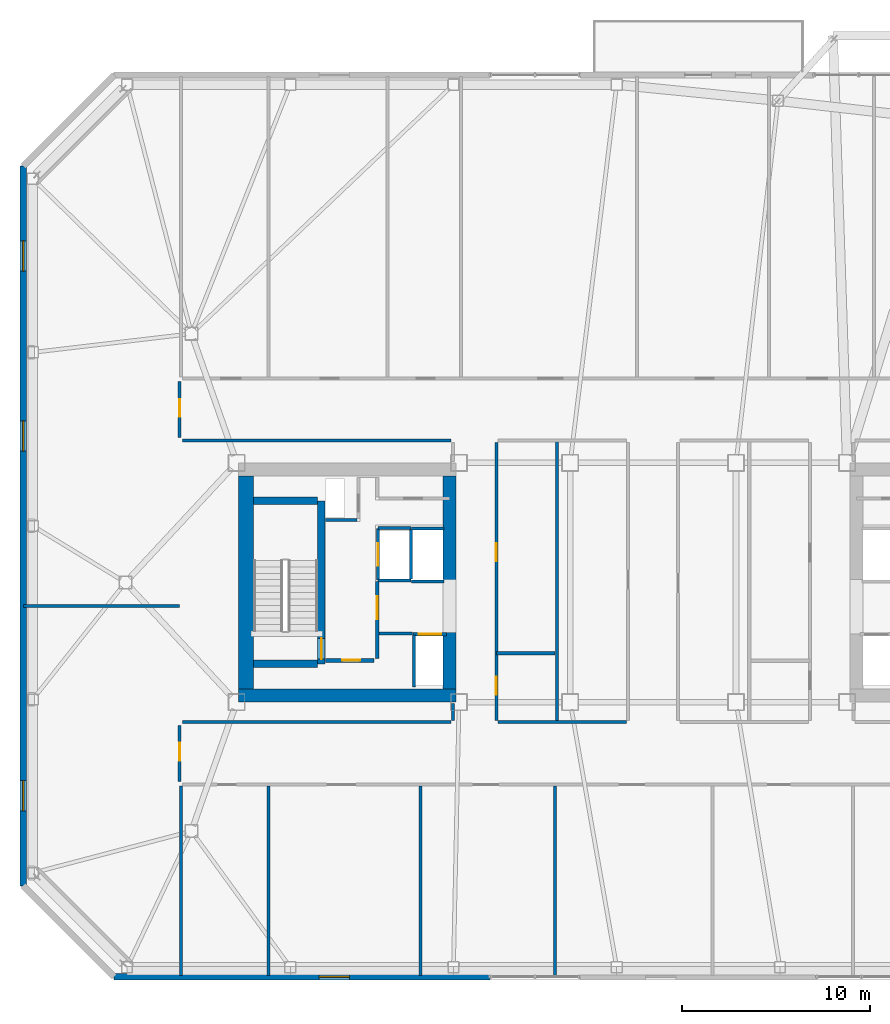
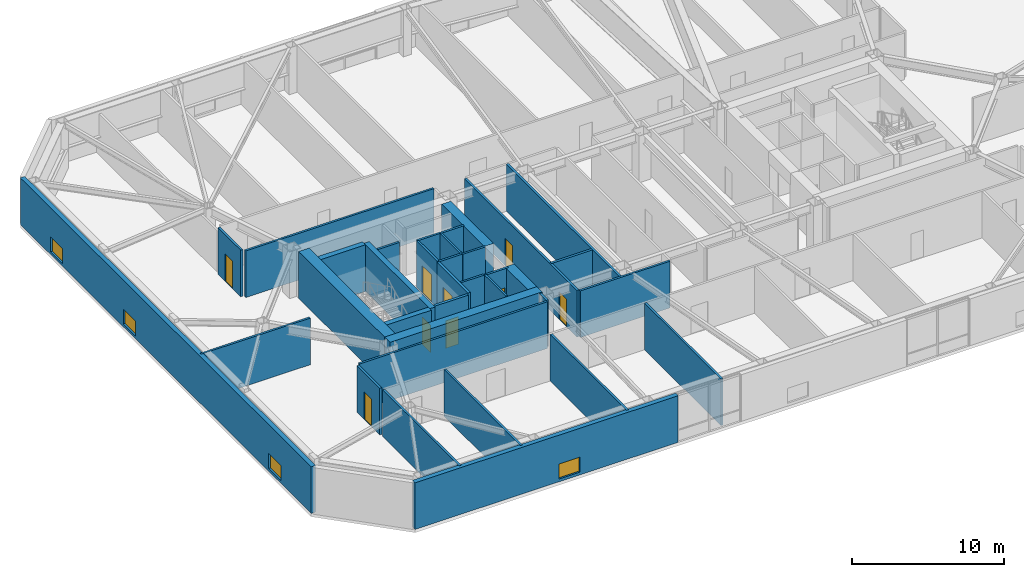
# One storey, part 10 of 19: 35 walls, 9 doors, 4 windows, 13 openings.
"""IFC4 building model written with IfcOpenShell, lengths in metres."""

from ifc_helpers import new_model, si_unit, direction, frame, frame_2d, origin, place, context, subcontext, project, spatial, rectangle, extrude, material, layer, layer_set, type_object, element, fill, save


model = new_model("IFC4")

# Units and contexts
model_context = context("Model", 3, precision=1e-05, world=origin(), true_north=direction((0.0, 1.0)))
body_context = subcontext(model_context, "Body", "Model", "MODEL_VIEW")
ifc_project = project(units=[si_unit("LENGTHUNIT", "METRE"), si_unit("AREAUNIT", "SQUARE_METRE"), si_unit("VOLUMEUNIT", "CUBIC_METRE"), si_unit("PLANEANGLEUNIT", "RADIAN"), si_unit("MASSUNIT", "GRAM", prefix="KILO")], contexts=[model_context])

# Site, building, storey
site_placement = place(None, origin())
site = spatial("IfcSite", under=ifc_project, at=site_placement, CompositionType="ELEMENT")
building_placement = place(site_placement, origin())
building = spatial("IfcBuilding", under=site, at=building_placement, Name="Tavrogorsk Clinical Tower", CompositionType="ELEMENT")
storey_placement = place(building_placement, frame((0.0, 0.0, 172.199951171875)))
storey = spatial("IfcBuildingStorey", under=building, at=storey_placement, Name="L39", CompositionType="ELEMENT", Elevation=172.199951171875)

# Wall, opening, door
ifc_material_1 = material(Name="Concrete B60", Category="concrete")
ifc_layer_1 = layer(ifc_material_1, 0.199951171875)
ifc_layer_set_1 = layer_set([ifc_layer_1], Name="Concrete B60")
wall_type_1 = type_object("IfcWallType", Name="CoreFireWall_200", PredefinedType="SOLIDWALL", material=ifc_layer_set_1)
wall_1_placement = place(storey_placement, frame((-17.3798828125, -4.139892578125, 0.0), z_axis=(0.0, 0.0, 1.0), x_axis=(1.0, 0.0, 0.0)))
wall_1 = element("IfcWall", 1, at=wall_1_placement, inside=storey, type_object=wall_type_1, Name="L39 Core West South Core Room Fire Wall", PredefinedType="SOLIDWALL", context=body_context, shape_type="SweptSolid", body=[
    extrude(rectangle(XDim=2.554931640625, YDim=0.199951171875, at=frame_2d((1.27734375, 0.0))), origin(), (0.0, 0.0, 1.0), 3.739990234375),
])
opening_1_placement = place(wall_1_placement, frame((0.8798828125, 0.0, 0.0)))
opening_1 = element("IfcOpeningElement", 2, at=opening_1_placement, cuts=wall_1, Name="Opening ID-02", PredefinedType="OPENING", context=body_context, shape_type="SweptSolid", body=[
    extrude(rectangle(XDim=0.949951171875, YDim=2.199951171875, at=frame_2d((0.47509765625, 1.10009765625))), frame((0.0, 0.10986328125, 0.0), z_axis=(0.0, -1.0, 0.0), x_axis=(1.0, 0.0, 0.0)), (0.0, 0.0, 1.0), 0.219970703125),
])
ifc_material_2 = material(Name="Laminated timber leaf on aluminium frame", Category="wood")
door_type_1 = type_object("IfcDoorType", Name="InteriorDoor_ID02_950", OperationType="NOTDEFINED", PredefinedType="DOOR", material=ifc_material_2)
door_1_placement = place(opening_1_placement, origin())
door_1 = element("IfcDoor", 3, at=door_1_placement, inside=storey, type_object=door_type_1, Name="L39 Core West South Core Room Door", OperationType="SINGLE_SWING_RIGHT", OverallHeight=2.199951171875, OverallWidth=0.949951171875, PredefinedType="DOOR", context=body_context, shape_type="SweptSolid", body=[
    extrude(rectangle(XDim=0.949951171875, YDim=2.199951171875, at=frame_2d((0.47509765625, 1.10009765625))), frame((0.0, 0.02490234375, 0.0), z_axis=(0.0, -1.0, 0.0), x_axis=(1.0, 0.0, 0.0)), (0.0, 0.0, 1.0), 0.050048828125),
])
fill(opening_1, door_1)

wall_2_placement = place(storey_placement, frame((-14.639892578125, -4.034912109375, 0.0), z_axis=(0.0, 0.0, 1.0), x_axis=(0.0, 1.0, 0.0)))
wall_2 = element("IfcWall", 4, at=wall_2_placement, inside=storey, type_object=wall_type_1, Name="L39 Core West Firefighting Lobby Fire Wall", PredefinedType="SOLIDWALL", context=body_context, shape_type="SweptSolid", body=[
    extrude(rectangle(XDim=4.074951171875, YDim=0.199951171875, at=frame_2d((2.03759765625, 0.0))), origin(), (0.0, 0.0, 1.0), 3.739990234375),
])
opening_2_placement = place(wall_2_placement, frame((2.090087890625, 0.0, 0.0)))
opening_2 = element("IfcOpeningElement", 5, at=opening_2_placement, cuts=wall_2, Name="Opening FD-01", PredefinedType="OPENING", context=body_context, shape_type="SweptSolid", body=[
    extrude(rectangle(XDim=1.199951171875, YDim=2.199951171875, at=frame_2d((0.60009765625, 1.10009765625))), frame((0.0, 0.10986328125, 0.0), z_axis=(0.0, -1.0, 0.0), x_axis=(1.0, 0.0, 0.0)), (0.0, 0.0, 1.0), 0.219970703125),
])
ifc_material_3 = material(Name="Galvanised steel fire-rated door assembly", Category="steel")
door_type_2 = type_object("IfcDoorType", Name="FireDoor_FD01_1200", OperationType="NOTDEFINED", PredefinedType="DOOR", material=ifc_material_3)
door_2_placement = place(opening_2_placement, origin())
door_2 = element("IfcDoor", 6, at=door_2_placement, inside=storey, type_object=door_type_2, Name="L39 Core West Firefighting Lobby Entry Door", OperationType="SINGLE_SWING_RIGHT", OverallHeight=2.199951171875, OverallWidth=1.199951171875, PredefinedType="DOOR", context=body_context, shape_type="SweptSolid", body=[
    extrude(rectangle(XDim=1.199951171875, YDim=2.199951171875, at=frame_2d((0.60009765625, 1.10009765625))), frame((0.0, 0.02490234375, 0.0), z_axis=(0.0, -1.0, 0.0), x_axis=(1.0, 0.0, 0.0)), (0.0, 0.0, 1.0), 0.050048828125),
])
fill(opening_2, door_2)

# Wall
ifc_material_4 = material(Name="Lightweight concrete blockwork B15", Category="masonry")
ifc_layer_2 = layer(ifc_material_4, 0.159912109375)
ifc_layer_set_2 = layer_set([ifc_layer_2], Name="Lightweight concrete blockwork B15")
wall_type_2 = type_object("IfcWallType", Name="PartitionWall_160", PredefinedType="PARTITIONING", material=ifc_layer_set_2)
wall_3_placement = place(storey_placement, frame((-14.534912109375, -2.699951171875, 0.0), z_axis=(0.0, 0.0, 1.0), x_axis=(1.0, 0.0, 0.0)))
element("IfcWall", 7, at=wall_3_placement, inside=storey, type_object=wall_type_2, Name="L39 Core West Freed Low-Bank North Partition", PredefinedType="PARTITIONING", context=body_context, shape_type="SweptSolid", body=[
    extrude(rectangle(XDim=1.760009765625, YDim=0.159912109375, at=frame_2d((0.8798828125, 0.0))), origin(), (0.0, 0.0, 1.0), 3.739990234375),
])

# Wall, opening, door
wall_4_placement = place(storey_placement, frame((-25.1298828125, -10.56494140625, 0.0), z_axis=(0.0, 0.0, 1.0), x_axis=(0.0, 1.0, 0.0)))
wall_4 = element("IfcWall", 8, at=wall_4_placement, inside=storey, type_object=wall_type_2, Name="L39 Corridor Partition 01", PredefinedType="PARTITIONING", context=body_context, shape_type="SweptSolid", body=[
    extrude(rectangle(XDim=2.97998046875, YDim=0.159912109375, at=frame_2d((1.489990234375, 0.0))), origin(), (0.0, 0.0, 1.0), 3.739990234375),
])
opening_3_placement = place(wall_4_placement, frame((1.10009765625, 0.0, 0.0)))
opening_3 = element("IfcOpeningElement", 9, at=opening_3_placement, cuts=wall_4, Name="Opening ID-02", PredefinedType="OPENING", context=body_context, shape_type="SweptSolid", body=[
    extrude(rectangle(XDim=0.949951171875, YDim=2.199951171875, at=frame_2d((0.47509765625, 1.10009765625))), frame((0.0, 0.08984375, 0.0), z_axis=(0.0, -1.0, 0.0), x_axis=(1.0, 0.0, 0.0)), (0.0, 0.0, 1.0), 0.179931640625),
])
door_3_placement = place(opening_3_placement, origin())
door_3 = element("IfcDoor", 10, at=door_3_placement, inside=storey, type_object=door_type_1, Name="L39 W Solarium Day Room & Lounge 1 Door", OperationType="SINGLE_SWING_LEFT", OverallHeight=2.199951171875, OverallWidth=0.949951171875, PredefinedType="DOOR", context=body_context, shape_type="SweptSolid", body=[
    extrude(rectangle(XDim=0.949951171875, YDim=2.199951171875, at=frame_2d((0.47509765625, 1.10009765625))), frame((0.0, 0.02490234375, 0.0), z_axis=(0.0, -1.0, 0.0), x_axis=(1.0, 0.0, 0.0)), (0.0, 0.0, 1.0), 0.050048828125),
])
fill(opening_3, door_3)

# Walls
wall_5_placement = place(storey_placement, frame((-24.965087890625, -7.419921875, 0.0), z_axis=(0.0, 0.0, 1.0), x_axis=(1.0, 0.0, 0.0)))
element("IfcWall", 11, at=wall_5_placement, inside=storey, type_object=wall_type_2, Name="L39 Corridor Partition 02", PredefinedType="PARTITIONING", context=body_context, shape_type="SweptSolid", body=[
    extrude(rectangle(XDim=14.25, YDim=0.159912109375, at=frame_2d((7.125, 0.0))), origin(), (0.0, 0.0, 1.0), 3.739990234375),
])
wall_6_placement = place(storey_placement, frame((-10.6298828125, -7.3349609375, 0.0), z_axis=(0.0, 0.0, 1.0), x_axis=(0.0, 1.0, 0.0)))
element("IfcWall", 12, at=wall_6_placement, inside=storey, type_object=wall_type_2, Name="L39 Corridor Partition 03", PredefinedType="PARTITIONING", context=body_context, shape_type="SweptSolid", body=[
    extrude(rectangle(XDim=0.9150390625, YDim=0.159912109375, at=frame_2d((0.45751953125, 0.0))), origin(), (0.0, 0.0, 1.0), 3.739990234375),
])
wall_7_placement = place(storey_placement, frame((-10.715087890625, 7.52001953125, 0.0), z_axis=(0.0, 0.0, 1.0), x_axis=(-1.0, 0.0, 0.0)))
element("IfcWall", 13, at=wall_7_placement, inside=storey, type_object=wall_type_2, Name="L39 Corridor Partition 05", PredefinedType="PARTITIONING", context=body_context, shape_type="SweptSolid", body=[
    extrude(rectangle(XDim=14.25, YDim=0.159912109375, at=frame_2d((7.125, 0.0))), origin(), (0.0, 0.0, 1.0), 3.739990234375),
])

# Wall, opening, door
wall_8_placement = place(storey_placement, frame((-25.1298828125, 7.68505859375, 0.0), z_axis=(0.0, 0.0, 1.0), x_axis=(0.0, 1.0, 0.0)))
wall_8 = element("IfcWall", 14, at=wall_8_placement, inside=storey, type_object=wall_type_2, Name="L39 Corridor Partition 06", PredefinedType="PARTITIONING", context=body_context, shape_type="SweptSolid", body=[
    extrude(rectangle(XDim=2.97998046875, YDim=0.159912109375, at=frame_2d((1.489990234375, 0.0))), origin(), (0.0, 0.0, 1.0), 3.739990234375),
])
opening_4_placement = place(wall_8_placement, frame((1.10009765625, 0.0, 0.0)))
opening_4 = element("IfcOpeningElement", 15, at=opening_4_placement, cuts=wall_8, Name="Opening ID-02", PredefinedType="OPENING", context=body_context, shape_type="SweptSolid", body=[
    extrude(rectangle(XDim=0.949951171875, YDim=2.199951171875, at=frame_2d((0.47509765625, 1.10009765625))), frame((0.0, 0.08984375, 0.0), z_axis=(0.0, -1.0, 0.0), x_axis=(1.0, 0.0, 0.0)), (0.0, 0.0, 1.0), 0.179931640625),
])
door_4_placement = place(opening_4_placement, origin())
door_4 = element("IfcDoor", 16, at=door_4_placement, inside=storey, type_object=door_type_1, Name="L39 W Rehabilitation Therapy Suite 2 Door", OperationType="SINGLE_SWING_RIGHT", OverallHeight=2.199951171875, OverallWidth=0.949951171875, PredefinedType="DOOR", context=body_context, shape_type="SweptSolid", body=[
    extrude(rectangle(XDim=0.949951171875, YDim=2.199951171875, at=frame_2d((0.47509765625, 1.10009765625))), frame((0.0, 0.02490234375, 0.0), z_axis=(0.0, -1.0, 0.0), x_axis=(1.0, 0.0, 0.0)), (0.0, 0.0, 1.0), 0.050048828125),
])
fill(opening_4, door_4)

# Wall, openings, doors
wall_9_placement = place(storey_placement, frame((-8.320068359375, 7.43505859375, 0.0), z_axis=(0.0, 0.0, 1.0), x_axis=(0.0, -1.0, 0.0)))
wall_9 = element("IfcWall", 17, at=wall_9_placement, inside=storey, type_object=wall_type_2, Name="L39 Corridor Partition 21", PredefinedType="PARTITIONING", context=body_context, shape_type="SweptSolid", body=[
    extrude(rectangle(XDim=14.77001953125, YDim=0.159912109375, at=frame_2d((7.385009765625, 0.0))), origin(), (0.0, 0.0, 1.0), 3.739990234375),
])
opening_5_placement = place(wall_9_placement, frame((12.435791015625, 0.0, 0.0)))
opening_5 = element("IfcOpeningElement", 18, at=opening_5_placement, cuts=wall_9, Name="Opening ID-02", PredefinedType="OPENING", context=body_context, shape_type="SweptSolid", body=[
    extrude(rectangle(XDim=0.949951171875, YDim=2.199951171875, at=frame_2d((0.47509765625, 1.10009765625))), frame((0.0, 0.08984375, 0.0), z_axis=(0.0, -1.0, 0.0), x_axis=(1.0, 0.0, 0.0)), (0.0, 0.0, 1.0), 0.179931640625),
])
opening_6_placement = place(wall_9_placement, frame((5.35400390625, 0.0, 0.0)))
opening_6 = element("IfcOpeningElement", 19, at=opening_6_placement, cuts=wall_9, Name="Opening ID-02", PredefinedType="OPENING", context=body_context, shape_type="SweptSolid", body=[
    extrude(rectangle(XDim=0.949951171875, YDim=2.199951171875, at=frame_2d((0.47509765625, 1.10009765625))), frame((0.0, 0.08984375, 0.0), z_axis=(0.0, -1.0, 0.0), x_axis=(1.0, 0.0, 0.0)), (0.0, 0.0, 1.0), 0.179931640625),
])
door_5_placement = place(opening_5_placement, origin())
door_5 = element("IfcDoor", 20, at=door_5_placement, inside=storey, type_object=door_type_1, Name="L39 Accessible Patient Lavatory Door", OperationType="SINGLE_SWING_LEFT", OverallHeight=2.199951171875, OverallWidth=0.949951171875, PredefinedType="DOOR", context=body_context, shape_type="SweptSolid", body=[
    extrude(rectangle(XDim=0.949951171875, YDim=2.199951171875, at=frame_2d((0.47509765625, 1.10009765625))), frame((0.0, 0.02490234375, 0.0), z_axis=(0.0, -1.0, 0.0), x_axis=(1.0, 0.0, 0.0)), (0.0, 0.0, 1.0), 0.050048828125),
])
fill(opening_5, door_5)
door_6_placement = place(opening_6_placement, origin())
door_6 = element("IfcDoor", 21, at=door_6_placement, inside=storey, type_object=door_type_1, Name="L39 Ward Nourishment Pantry Door", OperationType="SINGLE_SWING_RIGHT", OverallHeight=2.199951171875, OverallWidth=0.949951171875, PredefinedType="DOOR", context=body_context, shape_type="SweptSolid", body=[
    extrude(rectangle(XDim=0.949951171875, YDim=2.199951171875, at=frame_2d((0.47509765625, 1.10009765625))), frame((0.0, 0.02490234375, 0.0), z_axis=(0.0, -1.0, 0.0), x_axis=(1.0, 0.0, 0.0)), (0.0, 0.0, 1.0), 0.050048828125),
])
fill(opening_6, door_6)

# Walls
wall_10_placement = place(storey_placement, frame((-8.235107421875, -7.419921875, 0.0), z_axis=(0.0, 0.0, 1.0), x_axis=(1.0, 0.0, 0.0)))
element("IfcWall", 22, at=wall_10_placement, inside=storey, type_object=wall_type_2, Name="L39 Corridor Partition 22", PredefinedType="PARTITIONING", context=body_context, shape_type="SweptSolid", body=[
    extrude(rectangle(XDim=6.820068359375, YDim=0.159912109375, at=frame_2d((3.41015625, 0.0))), origin(), (0.0, 0.0, 1.0), 3.739990234375),
])
for number, where, z_axis, x_axis, name in (
    (23, (-25.050048828125, -20.860107421875, 0.0), (0.0, 0.0, 1.0), (0.0, 1.0, 0.0), "L39 SW Wing Closure Partition"),
    (24, (-20.39990234375, -20.860107421875, 0.0), (0.0, 0.0, 1.0), (0.0, 1.0, 0.0), "L39 South Room Partition 1"),
    (25, (-5.199951171875, -20.860107421875, 0.0), (0.0, 0.0, 1.0), (0.0, 1.0, 0.0), "L39 South Room Partition 2"),
    (26, (-12.35009765625, -20.860107421875, 0.0), (0.0, 0.0, 1.0), (0.0, 1.0, 0.0), "L39 South Sub-Partition 2"),
):
    element("IfcWall", number, at=place(storey_placement, frame(where, z_axis=z_axis, x_axis=x_axis)), inside=storey, type_object=wall_type_2, Name=name, PredefinedType="PARTITIONING", context=body_context, shape_type="SweptSolid", body=[
        extrude(rectangle(XDim=10.045166015625, YDim=0.159912109375, at=frame_2d((5.0224609375, 0.0))), origin(), (0.0, 0.0, 1.0), 3.739990234375),
    ])
wall_11_placement = place(storey_placement, frame((-33.409912109375, -1.25, 0.0), z_axis=(0.0, 0.0, 1.0), x_axis=(1.0, 0.0, 0.0)))
element("IfcWall", 27, at=wall_11_placement, inside=storey, type_object=wall_type_2, Name="L39 W Wing Divider 1", PredefinedType="PARTITIONING", context=body_context, shape_type="SweptSolid", body=[
    extrude(rectangle(XDim=8.280029296875, YDim=0.159912109375, at=frame_2d((4.14013671875, 0.0))), origin(), (0.0, 0.0, 1.0), 3.739990234375),
])
ifc_material_5 = material(Name="Lightweight concrete blockwork B20", Category="masonry")
ifc_layer_3 = layer(ifc_material_5, 0.179931640625)
ifc_layer_set_3 = layer_set([ifc_layer_3], Name="Lightweight concrete blockwork B20")
wall_type_3 = type_object("IfcWallType", Name="PartitionWall_180", PredefinedType="PARTITIONING", material=ifc_layer_set_3)
wall_12_placement = place(storey_placement, frame((-5.10009765625, -7.4150390625, 0.0), z_axis=(0.0, 0.0, 1.0), x_axis=(0.0, 1.0, 0.0)))
element("IfcWall", 28, at=wall_12_placement, inside=storey, type_object=wall_type_3, Name="L39 Central Spine Partition 1", PredefinedType="PARTITIONING", context=body_context, shape_type="SweptSolid", body=[
    extrude(rectangle(XDim=14.929931640625, YDim=0.179931640625, at=frame_2d((7.46484375, 0.0))), origin(), (0.0, 0.0, 1.0), 3.739990234375),
])
wall_13_placement = place(storey_placement, frame((-8.31494140625, -3.75, 0.0), z_axis=(0.0, 0.0, 1.0), x_axis=(1.0, 0.0, 0.0)))
element("IfcWall", 29, at=wall_13_placement, inside=storey, type_object=wall_type_3, Name="L39 Central Spine Partition 3", PredefinedType="PARTITIONING", context=body_context, shape_type="SweptSolid", body=[
    extrude(rectangle(XDim=3.119873046875, YDim=0.179931640625, at=frame_2d((1.56005859375, 0.0))), origin(), (0.0, 0.0, 1.0), 3.739990234375),
])

# Wall, opening, window
ifc_material_6 = material(Name="Precast concrete B45 with limestone cladding", Category="masonry")
ifc_layer_4 = layer(ifc_material_6, 0.340087890625)
ifc_layer_set_4 = layer_set([ifc_layer_4], Name="Precast concrete B45 with limestone cladding")
wall_type_4 = type_object("IfcWallType", Name="PrecastLimestoneWall_340", PredefinedType="STANDARD", material=ifc_layer_set_4)
wall_14_placement = place(storey_placement, frame((-28.60009765625, -20.929931640625, 0.0), z_axis=(0.0, 0.0, 1.0), x_axis=(1.0, 0.0, 0.0)))
wall_14 = element("IfcWall", 30, at=wall_14_placement, inside=storey, type_object=wall_type_4, Name="L39 S Limestone Facade Wall 1", PredefinedType="STANDARD", context=body_context, shape_type="SweptSolid", body=[
    extrude(rectangle(XDim=19.937255859375, YDim=0.340087890625, at=frame_2d((9.96875, 0.0))), origin(), (0.0, 0.0, 1.0), 3.739990234375),
])
opening_7_placement = place(wall_14_placement, frame((10.8818359375, 0.0, 0.219970703125)))
opening_7 = element("IfcOpeningElement", 31, at=opening_7_placement, cuts=wall_14, Name="Opening WN-09", PredefinedType="OPENING", context=body_context, shape_type="SweptSolid", body=[
    extrude(rectangle(XDim=1.60009765625, YDim=1.199951171875, at=frame_2d((0.800048828125, 0.60009765625))), frame((0.0, 0.179931640625, 0.0), z_axis=(0.0, -1.0, 0.0), x_axis=(1.0, 0.0, 0.0)), (0.0, 0.0, 1.0), 0.360107421875),
])
ifc_material_7 = material(Name="Thermally broken aluminium frame and triple IGU", Category="aluminium")
window_type = type_object("IfcWindowType", Name="LowHeadTransWin_1600x1200", PartitioningType="DOUBLE_PANEL_VERTICAL", PredefinedType="WINDOW", material=ifc_material_7)
window_1_placement = place(opening_7_placement, origin())
window_1 = element("IfcWindow", 32, at=window_1_placement, inside=storey, type_object=window_type, Name="L39 S Chicago Window 03", OverallHeight=1.199951171875, OverallWidth=1.60009765625, PartitioningType="SINGLE_PANEL", PredefinedType="WINDOW", context=body_context, shape_type="SweptSolid", body=[
    extrude(rectangle(XDim=1.60009765625, YDim=1.199951171875, at=frame_2d((0.800048828125, 0.60009765625))), frame((0.0, 0.030029296875, 0.0), z_axis=(0.0, -1.0, 0.0), x_axis=(1.0, 0.0, 0.0)), (0.0, 0.0, 1.0), 0.06005859375),
])
fill(opening_7, window_1)

# Wall, openings, windows
wall_15_placement = place(storey_placement, frame((-33.429931640625, 22.10009765625, 0.0), z_axis=(0.0, 0.0, 1.0), x_axis=(0.0, -1.0, 0.0)))
wall_15 = element("IfcWall", 33, at=wall_15_placement, inside=storey, type_object=wall_type_4, Name="L39 W Pleated Limestone Wing Wall", PredefinedType="STANDARD", context=body_context, shape_type="SweptSolid", body=[
    extrude(rectangle(XDim=38.2001953125, YDim=0.340087890625, at=frame_2d((19.10009765625, 0.0))), origin(), (0.0, 0.0, 1.0), 3.739990234375),
])
opening_8_placement = place(wall_15_placement, frame((3.97509765625, 0.0, 0.219970703125)))
opening_8 = element("IfcOpeningElement", 34, at=opening_8_placement, cuts=wall_15, Name="Opening WN-09", PredefinedType="OPENING", context=body_context, shape_type="SweptSolid", body=[
    extrude(rectangle(XDim=1.60009765625, YDim=1.199951171875, at=frame_2d((0.800048828125, 0.60009765625))), frame((0.0, 0.179931640625, 0.0), z_axis=(0.0, -1.0, 0.0), x_axis=(1.0, 0.0, 0.0)), (0.0, 0.0, 1.0), 0.360107421875),
])
opening_9_placement = place(wall_15_placement, frame((13.52490234375, 0.0, 0.219970703125)))
opening_9 = element("IfcOpeningElement", 35, at=opening_9_placement, cuts=wall_15, Name="Opening WN-09", PredefinedType="OPENING", context=body_context, shape_type="SweptSolid", body=[
    extrude(rectangle(XDim=1.60009765625, YDim=1.199951171875, at=frame_2d((0.800048828125, 0.60009765625))), frame((0.0, 0.179931640625, 0.0), z_axis=(0.0, -1.0, 0.0), x_axis=(1.0, 0.0, 0.0)), (0.0, 0.0, 1.0), 0.360107421875),
])
opening_10_placement = place(wall_15_placement, frame((32.625, 0.0, 0.219970703125)))
opening_10 = element("IfcOpeningElement", 36, at=opening_10_placement, cuts=wall_15, Name="Opening WN-09", PredefinedType="OPENING", context=body_context, shape_type="SweptSolid", body=[
    extrude(rectangle(XDim=1.60009765625, YDim=1.199951171875, at=frame_2d((0.800048828125, 0.60009765625))), frame((0.0, 0.179931640625, 0.0), z_axis=(0.0, -1.0, 0.0), x_axis=(1.0, 0.0, 0.0)), (0.0, 0.0, 1.0), 0.360107421875),
])
window_2_placement = place(opening_8_placement, origin())
window_2 = element("IfcWindow", 37, at=window_2_placement, inside=storey, type_object=window_type, Name="L39 W Pleat Slot Window 1", OverallHeight=1.199951171875, OverallWidth=1.60009765625, PartitioningType="SINGLE_PANEL", PredefinedType="WINDOW", context=body_context, shape_type="SweptSolid", body=[
    extrude(rectangle(XDim=1.60009765625, YDim=1.199951171875, at=frame_2d((0.800048828125, 0.60009765625))), frame((0.0, 0.030029296875, 0.0), z_axis=(0.0, -1.0, 0.0), x_axis=(1.0, 0.0, 0.0)), (0.0, 0.0, 1.0), 0.06005859375),
])
fill(opening_8, window_2)
window_3_placement = place(opening_9_placement, origin())
window_3 = element("IfcWindow", 38, at=window_3_placement, inside=storey, type_object=window_type, Name="L39 W Pleat Slot Window 2", OverallHeight=1.199951171875, OverallWidth=1.60009765625, PartitioningType="SINGLE_PANEL", PredefinedType="WINDOW", context=body_context, shape_type="SweptSolid", body=[
    extrude(rectangle(XDim=1.60009765625, YDim=1.199951171875, at=frame_2d((0.800048828125, 0.60009765625))), frame((0.0, 0.030029296875, 0.0), z_axis=(0.0, -1.0, 0.0), x_axis=(1.0, 0.0, 0.0)), (0.0, 0.0, 1.0), 0.06005859375),
])
fill(opening_9, window_3)
window_4_placement = place(opening_10_placement, origin())
window_4 = element("IfcWindow", 39, at=window_4_placement, inside=storey, type_object=window_type, Name="L39 W Pleat Slot Window 4", OverallHeight=1.199951171875, OverallWidth=1.60009765625, PartitioningType="SINGLE_PANEL", PredefinedType="WINDOW", context=body_context, shape_type="SweptSolid", body=[
    extrude(rectangle(XDim=1.60009765625, YDim=1.199951171875, at=frame_2d((0.800048828125, 0.60009765625))), frame((0.0, 0.030029296875, 0.0), z_axis=(0.0, -1.0, 0.0), x_axis=(1.0, 0.0, 0.0)), (0.0, 0.0, 1.0), 0.06005859375),
])
fill(opening_10, window_4)

# Wall, opening, door
ifc_material_8 = material(Name="Lightweight concrete blockwork B25", Category="masonry")
ifc_layer_5 = layer(ifc_material_8, 0.159912109375)
ifc_layer_set_5 = layer_set([ifc_layer_5], Name="Lightweight concrete blockwork B25")
wall_type_5 = type_object("IfcWallType", Name="ShaftWall_160", PredefinedType="PARTITIONING", material=ifc_layer_set_5)
wall_16_placement = place(storey_placement, frame((-14.60009765625, 0.1201171875, 0.0), z_axis=(0.0, 0.0, 1.0), x_axis=(0.0, 1.0, 0.0)))
wall_16 = element("IfcWall", 40, at=wall_16_placement, inside=storey, type_object=wall_type_5, Name="L39 FFL-W Firefighting Lift Front Wall", PredefinedType="PARTITIONING", context=body_context, shape_type="SweptSolid", body=[
    extrude(rectangle(XDim=2.739990234375, YDim=0.159912109375, at=frame_2d((1.3701171875, 0.0))), origin(), (0.0, 0.0, 1.0), 3.739990234375),
])
opening_11_placement = place(wall_16_placement, frame((0.77001953125, 0.0, 0.0)))
opening_11 = element("IfcOpeningElement", 41, at=opening_11_placement, cuts=wall_16, Name="Opening LD", PredefinedType="OPENING", context=body_context, shape_type="SweptSolid", body=[
    extrude(rectangle(XDim=1.199951171875, YDim=2.199951171875, at=frame_2d((0.60009765625, 1.10009765625))), frame((0.0, 0.08984375, 0.0), z_axis=(0.0, -1.0, 0.0), x_axis=(1.0, 0.0, 0.0)), (0.0, 0.0, 1.0), 0.179931640625),
])
ifc_material_9 = material(Name="Brushed stainless steel AISI 304 sliding doors", Category="steel")
door_type_3 = type_object("IfcDoorType", Name="LiftLandingDoor_LD_1200", OperationType="SLIDING_TO_LEFT", PredefinedType="DOOR", material=ifc_material_9)
door_7_placement = place(opening_11_placement, origin())
door_7 = element("IfcDoor", 42, at=door_7_placement, inside=storey, type_object=door_type_3, Name="L39 FFL-W Sliding Lift Landing Door", OperationType="SLIDING_TO_LEFT", OverallHeight=2.199951171875, OverallWidth=1.199951171875, PredefinedType="DOOR", context=body_context, shape_type="SweptSolid", body=[
    extrude(rectangle(XDim=1.199951171875, YDim=2.199951171875, at=frame_2d((0.60009765625, 1.10009765625))), frame((0.0, 0.02490234375, 0.0), z_axis=(0.0, -1.0, 0.0), x_axis=(1.0, 0.0, 0.0)), (0.0, 0.0, 1.0), 0.050048828125),
])
fill(opening_11, door_7)

# Walls
for number, where, z_axis, x_axis, name in (
    (43, (-14.60009765625, 0.10009765625, 0.0), (0.0, 0.0, 1.0), (1.0, 0.0, 0.0), "L39 FFL-W Shaft South Wall"),
    (44, (-14.60009765625, 2.8798828125, 0.0), (0.0, 0.0, 1.0), (1.0, 0.0, 0.0), "L39 FFL-W Shaft North Wall"),
):
    element("IfcWall", number, at=place(storey_placement, frame(where, z_axis=z_axis, x_axis=x_axis)), inside=storey, type_object=wall_type_5, Name=name, PredefinedType="PARTITIONING", context=body_context, shape_type="SweptSolid", body=[
        extrude(rectangle(XDim=1.760009765625, YDim=0.159912109375, at=frame_2d((0.8798828125, 0.0))), origin(), (0.0, 0.0, 1.0), 3.739990234375),
    ])
wall_17_placement = place(storey_placement, frame((-12.840087890625, 0.179931640625, 0.0), z_axis=(0.0, 0.0, 1.0), x_axis=(0.0, 1.0, 0.0)))
element("IfcWall", 45, at=wall_17_placement, inside=storey, type_object=wall_type_5, Name="L39 FFL-W Shaft Back Wall", PredefinedType="PARTITIONING", context=body_context, shape_type="SweptSolid", body=[
    extrude(rectangle(XDim=2.6201171875, YDim=0.159912109375, at=frame_2d((1.31005859375, 0.0))), origin(), (0.0, 0.0, 1.0), 3.739990234375),
])

# Wall, opening, door
wall_18_placement = place(storey_placement, frame((-12.72998046875, -2.75, 0.0), z_axis=(0.0, 0.0, 1.0), x_axis=(1.0, 0.0, 0.0)))
wall_18 = element("IfcWall", 46, at=wall_18_placement, inside=storey, type_object=wall_type_5, Name="L39 LP-M1 Lift Shaft Portal Wall", PredefinedType="PARTITIONING", context=body_context, shape_type="SweptSolid", body=[
    extrude(rectangle(XDim=1.760009765625, YDim=0.159912109375, at=frame_2d((0.8798828125, 0.0))), origin(), (0.0, 0.0, 1.0), 3.739990234375),
])
opening_12_placement = place(wall_18_placement, frame((0.280029296875, 0.0, 0.0)))
opening_12 = element("IfcOpeningElement", 47, at=opening_12_placement, cuts=wall_18, Name="Opening LD", PredefinedType="OPENING", context=body_context, shape_type="SweptSolid", body=[
    extrude(rectangle(XDim=1.199951171875, YDim=2.199951171875, at=frame_2d((0.60009765625, 1.10009765625))), frame((0.0, 0.08984375, 0.0), z_axis=(0.0, -1.0, 0.0), x_axis=(1.0, 0.0, 0.0)), (0.0, 0.0, 1.0), 0.179931640625),
])
door_8_placement = place(opening_12_placement, origin())
door_8 = element("IfcDoor", 48, at=door_8_placement, inside=storey, type_object=door_type_3, Name="L39 LP-M1 Sliding Lift Landing Door", OperationType="SLIDING_TO_LEFT", OverallHeight=2.199951171875, OverallWidth=1.199951171875, PredefinedType="DOOR", context=body_context, shape_type="SweptSolid", body=[
    extrude(rectangle(XDim=1.199951171875, YDim=2.199951171875, at=frame_2d((0.60009765625, 1.10009765625))), frame((0.0, 0.02490234375, 0.0), z_axis=(0.0, -1.0, 0.0), x_axis=(1.0, 0.0, 0.0)), (0.0, 0.0, 1.0), 0.050048828125),
])
fill(opening_12, door_8)

# Walls
for number, where, z_axis, x_axis, name in (
    (49, (-12.820068359375, 0.06005859375, 0.0), (0.0, 0.0, 1.0), (1.0, 0.0, 0.0), "L39 LP-H1 High-Zone Lift Portal Wall"),
    (50, (-12.820068359375, 2.860107421875, 0.0), (0.0, 0.0, 1.0), (1.0, 0.0, 0.0), "L39 LP-H1 High-Zone Lift Rear Wall"),
):
    element("IfcWall", number, at=place(storey_placement, frame(where, z_axis=z_axis, x_axis=x_axis)), inside=storey, type_object=wall_type_5, Name=name, PredefinedType="PARTITIONING", context=body_context, shape_type="SweptSolid", body=[
        extrude(rectangle(XDim=1.719970703125, YDim=0.159912109375, at=frame_2d((0.85986328125, 0.0))), origin(), (0.0, 0.0, 1.0), 3.739990234375),
    ])
wall_19_placement = place(storey_placement, frame((-17.3798828125, 3.320068359375, 0.0), z_axis=(0.0, 0.0, 1.0), x_axis=(1.0, 0.0, 0.0)))
element("IfcWall", 51, at=wall_19_placement, inside=storey, type_object=wall_type_5, Name="L39 Core West Riser South Wall", PredefinedType="PARTITIONING", context=body_context, shape_type="SweptSolid", body=[
    extrude(rectangle(XDim=1.65478515625, YDim=0.159912109375, at=frame_2d((0.827392578125, 0.0))), origin(), (0.0, 0.0, 1.0), 3.739990234375),
])
wall_20_placement = place(storey_placement, frame((-12.68994140625, -5.56005859375, 0.0), z_axis=(0.0, 0.0, 1.0), x_axis=(0.0, 1.0, 0.0)))
element("IfcWall", 52, at=wall_20_placement, inside=storey, type_object=wall_type_5, Name="L39 Core West Freed Low-Bank Shaft Divider", PredefinedType="PARTITIONING", context=body_context, shape_type="SweptSolid", body=[
    extrude(rectangle(XDim=2.775146484375, YDim=0.159912109375, at=frame_2d((1.3876953125, 0.0))), origin(), (0.0, 0.0, 1.0), 3.739990234375),
])

# Wall, opening, door
ifc_material_10 = material(Name="Concrete B80", Category="concrete")
ifc_layer_6 = layer(ifc_material_10, 0.39990234375)
ifc_layer_set_6 = layer_set([ifc_layer_6], Name="Concrete B80")
wall_type_6 = type_object("IfcWallType", Name="ShearWall_400", PredefinedType="SHEAR", material=ifc_layer_set_6)
wall_21_placement = place(storey_placement, frame((-17.60009765625, -4.324951171875, 0.0), z_axis=(0.0, 0.0, 1.0), x_axis=(0.0, 1.0, 0.0)))
wall_21 = element("IfcWall", 53, at=wall_21_placement, inside=storey, type_object=wall_type_6, Name="L39 Core West Stair Shaft Inner Shear Wall", PredefinedType="SHEAR", context=body_context, shape_type="SweptSolid", body=[
    extrude(rectangle(XDim=8.64990234375, YDim=0.39990234375, at=frame_2d((4.324951171875, 0.0))), origin(), (0.0, 0.0, 1.0), 3.739990234375),
])
opening_13_placement = place(wall_21_placement, frame((0.25, 0.0, 0.0)))
opening_13 = element("IfcOpeningElement", 54, at=opening_13_placement, cuts=wall_21, Name="Opening SD-01", PredefinedType="OPENING", context=body_context, shape_type="SweptSolid", body=[
    extrude(rectangle(XDim=1.10009765625, YDim=2.199951171875, at=frame_2d((0.550048828125, 1.10009765625))), frame((0.0, 0.2099609375, 0.0), z_axis=(0.0, -1.0, 0.0), x_axis=(1.0, 0.0, 0.0)), (0.0, 0.0, 1.0), 0.419921875),
])
ifc_material_11 = material(Name="Galvanised steel smoke-tight fire door assembly", Category="steel")
door_type_4 = type_object("IfcDoorType", Name="StairFireDoor_SD01_1100", OperationType="NOTDEFINED", PredefinedType="DOOR", material=ifc_material_11)
door_9_placement = place(opening_13_placement, origin())
door_9 = element("IfcDoor", 55, at=door_9_placement, inside=storey, type_object=door_type_4, Name="L39 ST-W Exit Stair Door", OperationType="SINGLE_SWING_RIGHT", OverallHeight=2.199951171875, OverallWidth=1.10009765625, PredefinedType="DOOR", context=body_context, shape_type="SweptSolid", body=[
    extrude(rectangle(XDim=1.10009765625, YDim=2.199951171875, at=frame_2d((0.550048828125, 1.10009765625))), frame((0.0, 0.02490234375, 0.0), z_axis=(0.0, -1.0, 0.0), x_axis=(1.0, 0.0, 0.0)), (0.0, 0.0, 1.0), 0.050048828125),
])
fill(opening_13, door_9)

# Walls
for number, where, z_axis, x_axis, name in (
    (56, (-21.199951171875, -4.324951171875, 0.0), (0.0, 0.0, 1.0), (1.0, 0.0, 0.0), "L39 Core West Stair Shaft South Shear Wall"),
    (57, (-21.199951171875, 4.324951171875, 0.0), (0.0, 0.0, 1.0), (1.0, 0.0, 0.0), "L39 Core West Stair Shaft North Shear Wall"),
):
    element("IfcWall", number, at=place(storey_placement, frame(where, z_axis=z_axis, x_axis=x_axis)), inside=storey, type_object=wall_type_6, Name=name, PredefinedType="SHEAR", context=body_context, shape_type="SweptSolid", body=[
        extrude(rectangle(XDim=3.39990234375, YDim=0.39990234375, at=frame_2d((1.699951171875, 0.0))), origin(), (0.0, 0.0, 1.0), 3.739990234375),
    ])
ifc_material_12 = material(Name="Concrete B80", Category="concrete")
ifc_layer_7 = layer(ifc_material_12, 0.699951171875)
ifc_layer_set_7 = layer_set([ifc_layer_7], Name="Concrete B80")
wall_type_7 = type_object("IfcWallType", Name="ShearWall_700", PredefinedType="SHEAR", material=ifc_layer_set_7)
wall_22_placement = place(storey_placement, frame((-22.0, -6.0, 0.0), z_axis=(0.0, 0.0, 1.0), x_axis=(1.0, 0.0, 0.0)))
element("IfcWall", 58, at=wall_22_placement, inside=storey, type_object=wall_type_7, Name="L39 Core West South Shear Wall", PredefinedType="SHEAR", context=body_context, shape_type="SweptSolid", body=[
    extrude(rectangle(XDim=11.550048828125, YDim=0.699951171875, at=frame_2d((5.77490234375, 0.0))), origin(), (0.0, 0.0, 1.0), 3.739990234375),
])
wall_23_placement = place(storey_placement, frame((-10.800048828125, -5.64990234375, 0.0), z_axis=(0.0, 0.0, 1.0), x_axis=(0.0, 1.0, 0.0)))
element("IfcWall", 59, at=wall_23_placement, inside=storey, type_object=wall_type_7, Name="L39 Core West Inner South Pier", PredefinedType="SHEAR", context=body_context, shape_type="SweptSolid", body=[
    extrude(rectangle(XDim=3.0, YDim=0.699951171875, at=frame_2d((1.5, 0.0))), origin(), (0.0, 0.0, 1.0), 3.739990234375),
])
wall_24_placement = place(storey_placement, frame((-10.800048828125, 0.050048828125, 0.0), z_axis=(0.0, 0.0, 1.0), x_axis=(0.0, 1.0, 0.0)))
element("IfcWall", 60, at=wall_24_placement, inside=storey, type_object=wall_type_7, Name="L39 Core West Inner North Pier", PredefinedType="SHEAR", context=body_context, shape_type="SweptSolid", body=[
    extrude(rectangle(XDim=5.599853515625, YDim=0.699951171875, at=frame_2d((2.7998046875, 0.0))), origin(), (0.0, 0.0, 1.0), 3.739990234375),
])
ifc_material_13 = material(Name="Concrete B80", Category="concrete")
ifc_layer_8 = layer(ifc_material_13, 0.800048828125)
ifc_layer_set_8 = layer_set([ifc_layer_8], Name="Concrete B80")
wall_type_8 = type_object("IfcWallType", Name="ShearWall_800", PredefinedType="SHEAR", material=ifc_layer_set_8)
wall_25_placement = place(storey_placement, frame((-21.60009765625, -5.64990234375, 0.0), z_axis=(0.0, 0.0, 1.0), x_axis=(0.0, 1.0, 0.0)))
element("IfcWall", 61, at=wall_25_placement, inside=storey, type_object=wall_type_8, Name="L39 Core West End Shear Wall", PredefinedType="SHEAR", context=body_context, shape_type="SweptSolid", body=[
    extrude(rectangle(XDim=11.2998046875, YDim=0.800048828125, at=frame_2d((5.64990234375, 0.0))), origin(), (0.0, 0.0, 1.0), 3.739990234375),
])

save(model, "model.ifc")
